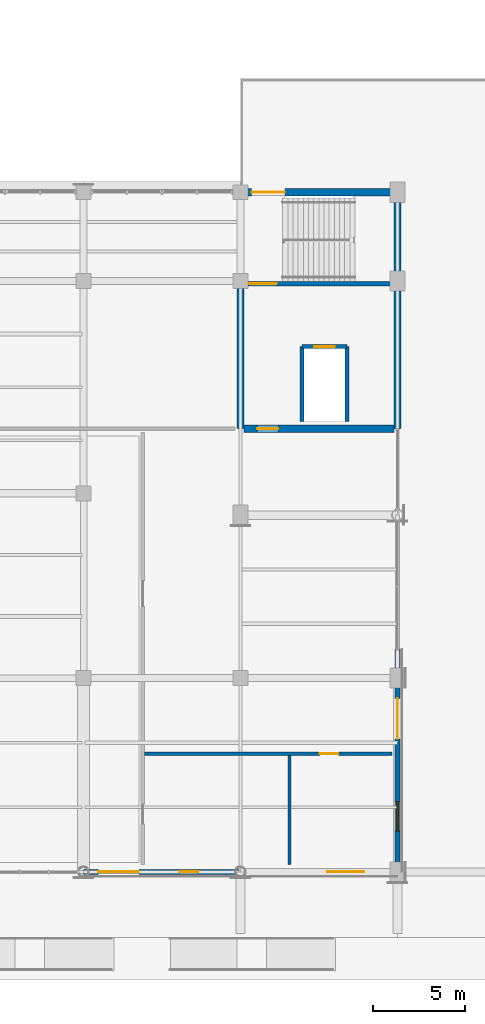
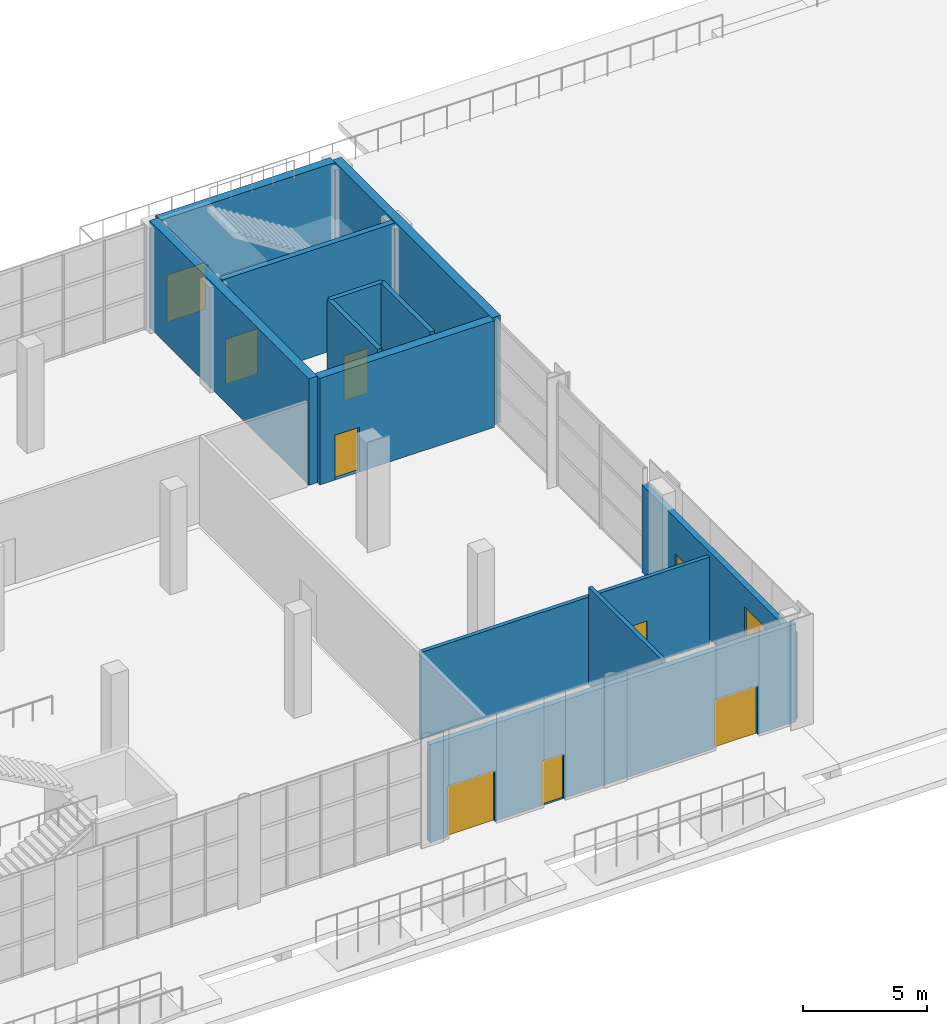
# One storey, part 68 of 90: 12 walls, 9 doors, 1 window, 10 openings.
"""IFC4 building model written with IfcOpenShell, lengths in metres."""

import ifcopenshell
import ifcopenshell.guid

model = None  # the IFC model being written
_history = None  # IfcOwnerHistory: only IFC2X3 demands one
_inside = {}  # id of a spatial element -> (the spatial element, [elements in it])
_under = {}  # id of a project, library or spatial element -> (it, [spatial elements below it])
_declared = {}  # id of a project -> (the project, [libraries it declares])
_typed = {}  # id of a type object -> (the type object, [elements of that type])
_made_of = {}  # id of a material, layer set ... -> (it, [elements and type objects made of it])


def new_model(schema):
    """Start an empty IFC model of exactly this schema.

    Asked for "IFC4X3", IfcOpenShell would pick the latest addendum, in which some entities
    have other attributes; the version numbers below select the first issue.
    IFC2X3 requires an IfcOwnerHistory on every rooted entity: one is made here for all.
    """
    global model, _history
    if schema == "IFC4X3":
        model = ifcopenshell.file(schema_version=(4, 3, 0, 0))
    else:
        model = ifcopenshell.file(schema=schema)
    _inside.clear()
    _under.clear()
    _declared.clear()
    _typed.clear()
    _made_of.clear()
    _history = None
    if model.schema == "IFC2X3":
        org = make("IfcOrganization", Name="unknown")
        user = make(
            "IfcPersonAndOrganization",
            ThePerson=make("IfcPerson", FamilyName="unknown"),
            TheOrganization=org,
        )
        app = make(
            "IfcApplication",
            ApplicationDeveloper=org,
            Version="unknown",
            ApplicationFullName="unknown",
            ApplicationIdentifier="unknown",
        )
        _history = make(
            "IfcOwnerHistory",
            OwningUser=user,
            OwningApplication=app,
            ChangeAction="ADDED",
            CreationDate=0,
        )
    return model


def make(cls, **values):
    """One entity of the class cls with the attributes given. An attribute that is None is left unset."""
    return model.create_entity(
        cls, **{name: value for name, value in values.items() if value is not None}
    )


def rooted(cls, **values):
    """An entity with a GlobalId (a new one), such as an element, a storey or a relation."""
    return make(cls, GlobalId=ifcopenshell.guid.new(), OwnerHistory=_history, **values)


def si_unit(unit_type, name, prefix=None):
    """IfcSIUnit, for example si_unit("LENGTHUNIT", "METRE", prefix="MILLI")."""
    return make("IfcSIUnit", UnitType=unit_type, Prefix=prefix, Name=name)


def assignment(units):
    """IfcUnitAssignment: the units of a project."""
    return None if units is None else make("IfcUnitAssignment", Units=units)


def point(xyz):
    """IfcCartesianPoint."""
    return None if xyz is None else make("IfcCartesianPoint", Coordinates=xyz)


def direction(xyz):
    """IfcDirection."""
    return None if xyz is None else make("IfcDirection", DirectionRatios=xyz)


def frame(location, z_axis=None, x_axis=None):
    """IfcAxis2Placement3D, a coordinate frame: its origin and axes. An axis left out is left unset."""
    return make(
        "IfcAxis2Placement3D",
        Location=point(location),
        Axis=direction(z_axis),
        RefDirection=direction(x_axis),
    )


def frame_2d(location, x_axis=None):
    """IfcAxis2Placement2D, a coordinate frame in the plane: its origin and x axis."""
    return make(
        "IfcAxis2Placement2D", Location=point(location), RefDirection=direction(x_axis)
    )


def origin():
    """The frame at (0, 0, 0) with its axes left unset."""
    return frame((0.0, 0.0, 0.0))


def place(relative_to, where):
    """IfcLocalPlacement: puts the frame where relative to a parent placement (None: the world)."""
    return make(
        "IfcLocalPlacement", PlacementRelTo=relative_to, RelativePlacement=where
    )


def context(
    kind, dimensions, precision=None, world=None, true_north=None, identifier=None
):
    """IfcGeometricRepresentationContext, for example the 3D "Model" context."""
    return make(
        "IfcGeometricRepresentationContext",
        ContextIdentifier=identifier,
        ContextType=kind,
        CoordinateSpaceDimension=dimensions,
        Precision=precision,
        WorldCoordinateSystem=world,
        TrueNorth=true_north,
    )


def subcontext(parent, identifier, kind, view, scale=None):
    """IfcGeometricRepresentationSubContext, for example "Body" below "Model"."""
    return make(
        "IfcGeometricRepresentationSubContext",
        ContextIdentifier=identifier,
        ContextType=kind,
        ParentContext=parent,
        TargetScale=scale,
        TargetView=view,
    )


def project(units=None, contexts=None):
    """IfcProject with its units and contexts."""
    return rooted(
        "IfcProject",
        Name="project",
        RepresentationContexts=contexts,
        UnitsInContext=assignment(units),
    )


def spatial(cls, under=None, at=None, **own):
    """A site, building, storey or space (cls), placed at a placement, below another one or the project."""
    s = rooted(cls, ObjectPlacement=at, **own)
    if under is not None:
        _under.setdefault(under.id(), (under, []))[1].append(s)
    return s


def profile(cls, at=None, kind="AREA", **sizes):
    """A parametric profile (cls). Its sizes go by their IFC names, for example OverallWidth=200.0."""
    return make(cls, ProfileType=kind, Position=at, **sizes)


def rectangle(**sizes):
    """IfcRectangleProfileDef."""
    return profile("IfcRectangleProfileDef", **sizes)


def extrude(swept, where, along, depth):
    """IfcExtrudedAreaSolid: the profile swept, set in the frame where, extruded along a direction by depth."""
    return make(
        "IfcExtrudedAreaSolid",
        SweptArea=swept,
        Position=where,
        ExtrudedDirection=direction(along),
        Depth=depth,
    )


def shape(context_of_items, identifier, shape_type, items):
    """IfcShapeRepresentation: the items that make up one representation, for example the "Body"."""
    return make(
        "IfcShapeRepresentation",
        ContextOfItems=context_of_items,
        RepresentationIdentifier=identifier,
        RepresentationType=shape_type,
        Items=items,
    )


def material(Name=None, Category=None):
    """IfcMaterial."""
    return make("IfcMaterial", Name=Name, Category=Category)


def layer(
    of_material, thickness, ventilated=None, Name=None, Category=None, Priority=None
):
    """IfcMaterialLayer: one layer of a wall or slab, of a material (None: an air gap)."""
    return make(
        "IfcMaterialLayer",
        Material=of_material,
        LayerThickness=thickness,
        IsVentilated=ventilated,
        Name=Name,
        Category=Category,
        Priority=Priority,
    )


def layer_set(layers, Name=None):
    """IfcMaterialLayerSet."""
    return make("IfcMaterialLayerSet", MaterialLayers=layers, LayerSetName=Name)


def made_of(thing, what):
    """Note that an element or type object is made of a material, layer set ...; save() writes the relation."""
    if what is not None:
        _made_of.setdefault(what.id(), (what, []))[1].append(thing)
    return thing


def type_object(cls, material=None, **own):
    """A type object (cls), such as IfcWallType, which elements share."""
    return made_of(rooted(cls, **own), material)


def element(
    cls,
    number,
    at=None,
    inside=None,
    cuts=None,
    type_object=None,
    material=None,
    context=None,
    identifier="Body",
    shape_type=None,
    held_by="IfcProductDefinitionShape",
    body=None,
    shapes=None,
    **own,
):
    """One element of the class cls, such as IfcWall. Its Tag is "e" and its number.

    at: its placement. inside: the storey or other place that contains it. cuts: it is an
    opening in that element (IfcRelVoidsElement). A single representation is given by context,
    identifier, shape_type and body (its items); several are given by shapes. held_by: the class
    of the entity that holds the representations. save() writes the other relations.
    """
    e = rooted(cls, Tag="e%d" % number, ObjectPlacement=at, **own)
    if body is not None:
        shapes = [shape(context, identifier, shape_type, body)]
    if shapes is not None:
        e.Representation = make(held_by, Representations=shapes)
    if inside is not None:
        _inside.setdefault(inside.id(), (inside, []))[1].append(e)
    if cuts is not None:
        rooted(
            "IfcRelVoidsElement", RelatingBuildingElement=cuts, RelatedOpeningElement=e
        )
    if type_object is not None:
        _typed.setdefault(type_object.id(), (type_object, []))[1].append(e)
    return made_of(e, material)


def fill(opening, filler):
    """IfcRelFillsElement: the door or window that sits in an opening."""
    return rooted(
        "IfcRelFillsElement",
        RelatingOpeningElement=opening,
        RelatedBuildingElement=filler,
    )


def aggregate(whole, parts):
    """IfcRelAggregates: a whole, such as a stair, and the parts it consists of."""
    return rooted("IfcRelAggregates", RelatingObject=whole, RelatedObjects=parts)


def save(model, path):
    """Write the relations noted so far, then the file.

    IfcRelAggregates (storeys below a building ...), IfcRelContainedInSpatialStructure (elements
    in a storey), IfcRelDefinesByType, IfcRelAssociatesMaterial and IfcRelDeclares: one each for
    every whole, place, type object, material and project.
    """
    for whole, parts in _under.values():
        aggregate(whole, parts)
    for where, things in _inside.values():
        rooted(
            "IfcRelContainedInSpatialStructure",
            RelatedElements=things,
            RelatingStructure=where,
        )
    for kind, things in _typed.values():
        rooted("IfcRelDefinesByType", RelatedObjects=things, RelatingType=kind)
    for what, things in _made_of.values():
        rooted("IfcRelAssociatesMaterial", RelatedObjects=things, RelatingMaterial=what)
    for by, libraries in _declared.values():
        rooted("IfcRelDeclares", RelatingContext=by, RelatedDefinitions=libraries)
    model.write(path)


model = new_model("IFC4")

# Units and contexts
model_context = context("Model", 3, precision=1e-05, world=origin(), true_north=direction((0.0, 1.0)))
body_context = subcontext(model_context, "Body", "Model", "MODEL_VIEW")
ifc_project = project(units=[si_unit("LENGTHUNIT", "METRE"), si_unit("AREAUNIT", "SQUARE_METRE"), si_unit("VOLUMEUNIT", "CUBIC_METRE"), si_unit("PLANEANGLEUNIT", "RADIAN"), si_unit("MASSUNIT", "GRAM", prefix="KILO")], contexts=[model_context])

# Site, building, storey
site_placement = place(None, origin())
site = spatial("IfcSite", under=ifc_project, at=site_placement, CompositionType="ELEMENT")
building_placement = place(site_placement, origin())
building = spatial("IfcBuilding", under=site, at=building_placement, Name="Solvikara Media Centre", CompositionType="ELEMENT")
storey_placement = place(building_placement, origin())
storey = spatial("IfcBuildingStorey", under=building, at=storey_placement, Name="L00", CompositionType="ELEMENT", Elevation=0.0)

# Walls
ifc_material_1 = material(Name="Concrete fc' 45 MPa (C45/55)", Category="concrete")
ifc_layer_1 = layer(ifc_material_1, 0.39990234375)
ifc_layer_set_1 = layer_set([ifc_layer_1], Name="Concrete fc' 45 MPa (C45/55)")
wall_type_1 = type_object("IfcWallType", Name="WT-02", PredefinedType="SHEAR", material=ifc_layer_set_1)
for number, where, z_axis, x_axis, name in (
    (1, (68.0, 24.0, 0.0), (0.0, 0.0, 1.0), (0.0, 1.0, 0.0), "CW-C3-L00-W"),
    (2, (76.5, 24.0, 0.0), (0.0, 0.0, 1.0), (0.0, 1.0, 0.0), "CW-C3-L00-E"),
):
    element("IfcWall", number, at=place(storey_placement, frame(where, z_axis=z_axis, x_axis=x_axis)), inside=storey, type_object=wall_type_1, Name=name, PredefinedType="SHEAR", context=body_context, shape_type="SweptSolid", body=[
        extrude(rectangle(XDim=12.800048828125, YDim=0.39990234375, at=frame_2d((6.39990234375, 0.0))), origin(), (0.0, 0.0, 1.0), 5.239990234375),
    ])

# Wall, opening, door
wall_1_placement = place(storey_placement, frame((68.199951171875, 36.800048828125, 0.0), z_axis=(0.0, 0.0, 1.0), x_axis=(1.0, 0.0, 0.0)))
wall_1 = element("IfcWall", 3, at=wall_1_placement, inside=storey, type_object=wall_type_1, Name="CW-C3-L00-N", PredefinedType="SHEAR", context=body_context, shape_type="SweptSolid", body=[
    extrude(rectangle(XDim=8.10009765625, YDim=0.39990234375, at=frame_2d((4.050048828125, 0.0))), origin(), (0.0, 0.0, 1.0), 5.239990234375),
])
opening_1_placement = place(wall_1_placement, frame((0.39990234375, 0.0, 0.0)))
opening_1 = element("IfcOpeningElement", 4, at=opening_1_placement, cuts=wall_1, Name="Opening EX-C3", PredefinedType="OPENING", context=body_context, shape_type="SweptSolid", body=[
    extrude(rectangle(XDim=1.800048828125, YDim=2.300048828125, at=frame_2d((0.89990234375, 1.14990234375))), frame((0.0, 0.2119140625, 0.0), z_axis=(0.0, -1.0, 0.0), x_axis=(1.0, 0.0, 0.0)), (0.0, 0.0, 1.0), 0.423828125),
])
ifc_material_2 = material(Name="Insulated fire-rated steel door leaf", Category="steel")
door_type_1 = type_object("IfcDoorType", Name="DT-03", OperationType="DOUBLE_DOOR_SINGLE_SWING", PredefinedType="DOOR", material=ifc_material_2)
door_1_placement = place(opening_1_placement, origin())
door_1 = element("IfcDoor", 5, at=door_1_placement, inside=storey, type_object=door_type_1, Name="EX-C3", OperationType="DOUBLE_DOOR_SINGLE_SWING", OverallHeight=2.300048828125, OverallWidth=1.800048828125, PredefinedType="DOOR", context=body_context, shape_type="SweptSolid", body=[
    extrude(rectangle(XDim=1.800048828125, YDim=2.300048828125, at=frame_2d((0.89990234375, 1.14990234375))), frame((0.0, 0.02490234375, 0.0), z_axis=(0.0, -1.0, 0.0), x_axis=(1.0, 0.0, 0.0)), (0.0, 0.0, 1.0), 0.050048828125),
])
fill(opening_1, door_1)

wall_2_placement = place(storey_placement, frame((68.199951171875, 24.0, 0.0), z_axis=(0.0, 0.0, 1.0), x_axis=(1.0, 0.0, 0.0)))
wall_2 = element("IfcWall", 6, at=wall_2_placement, inside=storey, type_object=wall_type_1, Name="CW-C3-L00-S", PredefinedType="SHEAR", context=body_context, shape_type="SweptSolid", body=[
    extrude(rectangle(XDim=8.10009765625, YDim=0.39990234375, at=frame_2d((4.050048828125, 0.0))), origin(), (0.0, 0.0, 1.0), 5.239990234375),
])
opening_2_placement = place(wall_2_placement, frame((0.699951171875, 0.0, 0.0)))
opening_2 = element("IfcOpeningElement", 7, at=opening_2_placement, cuts=wall_2, Name="Opening D-C3-L00-LOB", PredefinedType="OPENING", context=body_context, shape_type="SweptSolid", body=[
    extrude(rectangle(XDim=1.14990234375, YDim=2.199951171875, at=frame_2d((0.574951171875, 1.10009765625))), frame((0.0, 0.2119140625, 0.0), z_axis=(0.0, -1.0, 0.0), x_axis=(1.0, 0.0, 0.0)), (0.0, 0.0, 1.0), 0.423828125),
])
door_type_2 = type_object("IfcDoorType", Name="DT-09", OperationType="NOTDEFINED", PredefinedType="DOOR", material=ifc_material_2)
door_2_placement = place(opening_2_placement, frame((1.14990234375, 0.0, 0.0), z_axis=(0.0, 0.0, 1.0), x_axis=(-1.0, 0.0, 0.0)))
door_2 = element("IfcDoor", 8, at=door_2_placement, inside=storey, type_object=door_type_2, Name="D-C3-L00-LOB", OperationType="SINGLE_SWING_RIGHT", OverallHeight=2.199951171875, OverallWidth=1.14990234375, PredefinedType="DOOR", context=body_context, shape_type="SweptSolid", body=[
    extrude(rectangle(XDim=1.14990234375, YDim=2.199951171875, at=frame_2d((0.574951171875, 1.10009765625))), frame((0.0, 0.02490234375, 0.0), z_axis=(0.0, -1.0, 0.0), x_axis=(1.0, 0.0, 0.0)), (0.0, 0.0, 1.0), 0.050048828125),
])
fill(opening_2, door_2)

ifc_layer_2 = layer(ifc_material_1, 0.25)
ifc_layer_set_2 = layer_set([ifc_layer_2], Name="Concrete fc' 45 MPa (C45/55)")
wall_type_2 = type_object("IfcWallType", Name="WT-07", PredefinedType="STANDARD", material=ifc_layer_set_2)
wall_3_placement = place(storey_placement, frame((68.25, 31.85009765625, 0.0), z_axis=(0.0, 0.0, 1.0), x_axis=(1.0, 0.0, 0.0)))
wall_3 = element("IfcWall", 9, at=wall_3_placement, inside=storey, type_object=wall_type_2, Name="CW-C3-L00-SD", PredefinedType="STANDARD", context=body_context, shape_type="SweptSolid", body=[
    extrude(rectangle(XDim=8.0, YDim=0.25, at=frame_2d((4.0, 0.0))), origin(), (0.0, 0.0, 1.0), 5.239990234375),
])
opening_3_placement = place(wall_3_placement, frame((0.199951171875, 0.0, 0.0)))
opening_3 = element("IfcOpeningElement", 10, at=opening_3_placement, cuts=wall_3, Name="Opening D-C3-L00-ST", PredefinedType="OPENING", context=body_context, shape_type="SweptSolid", body=[
    extrude(rectangle(XDim=1.5, YDim=2.199951171875, at=frame_2d((0.75, 1.10009765625))), frame((0.0, 0.136962890625, 0.0), z_axis=(0.0, -1.0, 0.0), x_axis=(1.0, 0.0, 0.0)), (0.0, 0.0, 1.0), 0.27392578125),
])
door_type_3 = type_object("IfcDoorType", Name="DT-08", OperationType="DOUBLE_DOOR_SINGLE_SWING", PredefinedType="DOOR", material=ifc_material_2)
door_3_placement = place(opening_3_placement, frame((1.5, 0.0, 0.0), z_axis=(0.0, 0.0, 1.0), x_axis=(-1.0, 0.0, 0.0)))
door_3 = element("IfcDoor", 11, at=door_3_placement, inside=storey, type_object=door_type_3, Name="D-C3-L00-ST", OperationType="DOUBLE_DOOR_SINGLE_SWING", OverallHeight=2.199951171875, OverallWidth=1.5, PredefinedType="DOOR", context=body_context, shape_type="SweptSolid", body=[
    extrude(rectangle(XDim=1.5, YDim=2.199951171875, at=frame_2d((0.75, 1.10009765625))), frame((0.0, 0.02490234375, 0.0), z_axis=(0.0, -1.0, 0.0), x_axis=(1.0, 0.0, 0.0)), (0.0, 0.0, 1.0), 0.050048828125),
])
fill(opening_3, door_3)

# Wall, openings, doors
ifc_material_3 = material(Name="Precast concrete fc' 40 MPa (C40/50)", Category="concrete")
ifc_layer_3 = layer(ifc_material_3, 0.260009765625)
ifc_layer_set_3 = layer_set([ifc_layer_3], Name="Precast concrete fc' 40 MPa (C40/50)")
wall_type_3 = type_object("IfcWallType", Name="WT-12", PredefinedType="STANDARD", material=ifc_layer_set_3)
wall_4_placement = place(storey_placement, frame((59.5, 0.0, 0.0), z_axis=(0.0, 0.0, 1.0), x_axis=(1.0, 0.0, 0.0)))
wall_4 = element("IfcWall", 12, at=wall_4_placement, inside=storey, type_object=wall_type_3, Name="EW-L00-V6-SE", PredefinedType="STANDARD", context=body_context, shape_type="SweptSolid", body=[
    extrude(rectangle(XDim=17.0, YDim=0.260009765625, at=frame_2d((8.5, 0.0))), origin(), (0.0, 0.0, 1.0), 4.80810546875),
])
opening_4_placement = place(wall_4_placement, frame((0.800048828125, 0.0, 0.0)))
opening_4 = element("IfcOpeningElement", 13, at=opening_4_placement, cuts=wall_4, Name="Opening EX-09", PredefinedType="OPENING", context=body_context, shape_type="SweptSolid", body=[
    extrude(rectangle(XDim=2.199951171875, YDim=2.5, at=frame_2d((1.10009765625, 1.25))), frame((0.0, 0.14208984375, 0.0), z_axis=(0.0, -1.0, 0.0), x_axis=(1.0, 0.0, 0.0)), (0.0, 0.0, 1.0), 0.283935546875),
])
opening_5_placement = place(wall_4_placement, frame((5.199951171875, 0.0, 0.0)))
opening_5 = element("IfcOpeningElement", 14, at=opening_5_placement, cuts=wall_4, Name="Opening D-FCR-EXT", PredefinedType="OPENING", context=body_context, shape_type="SweptSolid", body=[
    extrude(rectangle(XDim=1.0, YDim=2.199951171875, at=frame_2d((0.5, 1.10009765625))), frame((0.0, 0.14208984375, 0.0), z_axis=(0.0, -1.0, 0.0), x_axis=(1.0, 0.0, 0.0)), (0.0, 0.0, 1.0), 0.283935546875),
])
opening_6_placement = place(wall_4_placement, frame((13.199951171875, 0.0, 0.0)))
opening_6 = element("IfcOpeningElement", 15, at=opening_6_placement, cuts=wall_4, Name="Opening EX-10", PredefinedType="OPENING", context=body_context, shape_type="SweptSolid", body=[
    extrude(rectangle(XDim=2.0, YDim=2.39990234375, at=frame_2d((1.0, 1.199951171875))), frame((0.0, 0.14208984375, 0.0), z_axis=(0.0, -1.0, 0.0), x_axis=(1.0, 0.0, 0.0)), (0.0, 0.0, 1.0), 0.283935546875),
])
ifc_material_4 = material(Name="Anodised aluminium EN AW-6063", Category="aluminium")
door_type_4 = type_object("IfcDoorType", Name="DT-01", OperationType="DOUBLE_DOOR_SINGLE_SWING", PredefinedType="DOOR", material=ifc_material_4)
door_4_placement = place(opening_6_placement, frame((2.0, 0.0, 0.0), z_axis=(0.0, 0.0, 1.0), x_axis=(-1.0, 0.0, 0.0)))
door_4 = element("IfcDoor", 16, at=door_4_placement, inside=storey, type_object=door_type_4, Name="EX-10", OperationType="DOUBLE_DOOR_SINGLE_SWING", OverallHeight=2.39990234375, OverallWidth=2.0, PredefinedType="DOOR", context=body_context, shape_type="SweptSolid", body=[
    extrude(rectangle(XDim=2.0, YDim=2.39990234375, at=frame_2d((1.0, 1.199951171875))), frame((0.0, 0.02490234375, 0.0), z_axis=(0.0, -1.0, 0.0), x_axis=(1.0, 0.0, 0.0)), (0.0, 0.0, 1.0), 0.050048828125),
])
fill(opening_6, door_4)
door_type_5 = type_object("IfcDoorType", Name="DT-02", OperationType="DOUBLE_DOOR_SINGLE_SWING", PredefinedType="DOOR", material=ifc_material_4)
door_5_placement = place(opening_4_placement, frame((2.199951171875, 0.0, 0.0), z_axis=(0.0, 0.0, 1.0), x_axis=(-1.0, 0.0, 0.0)))
door_5 = element("IfcDoor", 17, at=door_5_placement, inside=storey, type_object=door_type_5, Name="EX-09", OperationType="DOUBLE_DOOR_SINGLE_SWING", OverallHeight=2.5, OverallWidth=2.199951171875, PredefinedType="DOOR", context=body_context, shape_type="SweptSolid", body=[
    extrude(rectangle(XDim=2.199951171875, YDim=2.5, at=frame_2d((1.10009765625, 1.25))), frame((0.0, 0.02490234375, 0.0), z_axis=(0.0, -1.0, 0.0), x_axis=(1.0, 0.0, 0.0)), (0.0, 0.0, 1.0), 0.050048828125),
])
fill(opening_4, door_5)
door_type_6 = type_object("IfcDoorType", Name="DT-06", OperationType="NOTDEFINED", PredefinedType="DOOR", material=ifc_material_2)
door_6_placement = place(opening_5_placement, frame((1.0, 0.0, 0.0), z_axis=(0.0, 0.0, 1.0), x_axis=(-1.0, 0.0, 0.0)))
door_6 = element("IfcDoor", 18, at=door_6_placement, inside=storey, type_object=door_type_6, Name="D-FCR-EXT", OperationType="SINGLE_SWING_LEFT", OverallHeight=2.199951171875, OverallWidth=1.0, PredefinedType="DOOR", context=body_context, shape_type="SweptSolid", body=[
    extrude(rectangle(XDim=1.0, YDim=2.199951171875, at=frame_2d((0.5, 1.10009765625))), frame((0.0, 0.02490234375, 0.0), z_axis=(0.0, -1.0, 0.0), x_axis=(1.0, 0.0, 0.0)), (0.0, 0.0, 1.0), 0.050048828125),
])
fill(opening_5, door_6)

# Wall, openings, door, window
wall_5_placement = place(storey_placement, frame((76.5, 0.0, 0.0), z_axis=(0.0, 0.0, 1.0), x_axis=(0.0, 1.0, 0.0)))
wall_5 = element("IfcWall", 19, at=wall_5_placement, inside=storey, type_object=wall_type_3, Name="EW-L00-V6-E", PredefinedType="STANDARD", context=body_context, shape_type="SweptSolid", body=[
    extrude(rectangle(XDim=12.06005859375, YDim=0.260009765625, at=frame_2d((6.030029296875, 0.0))), origin(), (0.0, 0.0, 1.0), 4.280029296875),
])
opening_7_placement = place(wall_5_placement, frame((7.199951171875, 0.0, 0.0)))
opening_7 = element("IfcOpeningElement", 20, at=opening_7_placement, cuts=wall_5, Name="Opening EX-11", PredefinedType="OPENING", context=body_context, shape_type="SweptSolid", body=[
    extrude(rectangle(XDim=2.199951171875, YDim=2.5, at=frame_2d((1.10009765625, 1.25))), frame((0.0, 0.14208984375, 0.0), z_axis=(0.0, -1.0, 0.0), x_axis=(1.0, 0.0, 0.0)), (0.0, 0.0, 1.0), 0.283935546875),
])
opening_8_placement = place(wall_5_placement, frame((2.215087890625, 0.0, 1.10009765625)))
opening_8 = element("IfcOpeningElement", 21, at=opening_8_placement, cuts=wall_5, Name="Opening W-L00-V6E-W01", PredefinedType="OPENING", context=body_context, shape_type="SweptSolid", body=[
    extrude(rectangle(XDim=1.60009765625, YDim=2.199951171875, at=frame_2d((0.800048828125, 1.10009765625))), frame((0.0, 0.14208984375, 0.0), z_axis=(0.0, -1.0, 0.0), x_axis=(1.0, 0.0, 0.0)), (0.0, 0.0, 1.0), 0.283935546875),
])
door_7_placement = place(opening_7_placement, frame((2.199951171875, 0.0, 0.0), z_axis=(0.0, 0.0, 1.0), x_axis=(-1.0, 0.0, 0.0)))
door_7 = element("IfcDoor", 22, at=door_7_placement, inside=storey, type_object=door_type_5, Name="EX-11", OperationType="DOUBLE_DOOR_SINGLE_SWING", OverallHeight=2.5, OverallWidth=2.199951171875, PredefinedType="DOOR", context=body_context, shape_type="SweptSolid", body=[
    extrude(rectangle(XDim=2.199951171875, YDim=2.5, at=frame_2d((1.10009765625, 1.25))), frame((0.0, 0.02490234375, 0.0), z_axis=(0.0, -1.0, 0.0), x_axis=(1.0, 0.0, 0.0)), (0.0, 0.0, 1.0), 0.050048828125),
])
fill(opening_7, door_7)
ifc_material_5 = material(Name="Double-glazed low-E architectural glass", Category="glass")
window_type = type_object("IfcWindowType", Name="WN-07", PartitioningType="SINGLE_PANEL", PredefinedType="WINDOW", material=ifc_material_5)
window_placement = place(opening_8_placement, origin())
window = element("IfcWindow", 23, at=window_placement, inside=storey, type_object=window_type, Name="W-L00-V6E-W01", OverallHeight=2.199951171875, OverallWidth=1.60009765625, PartitioningType="SINGLE_PANEL", PredefinedType="WINDOW", context=body_context, shape_type="SweptSolid", body=[
    extrude(rectangle(XDim=1.60009765625, YDim=2.199951171875, at=frame_2d((0.800048828125, 1.10009765625))), frame((0.0, 0.030029296875, 0.0), z_axis=(0.0, -1.0, 0.0), x_axis=(1.0, 0.0, 0.0)), (0.0, 0.0, 1.0), 0.06005859375),
])
fill(opening_8, window)

# Walls
ifc_material_6 = material(Name="Fire-rated gypsum and mineral-wool shaft wall assembly")
ifc_layer_4 = layer(ifc_material_6, 0.2099609375)
ifc_layer_set_4 = layer_set([ifc_layer_4], Name="Fire-rated gypsum and mineral-wool shaft wall assembly")
wall_type_4 = type_object("IfcWallType", Name="WT-17", PredefinedType="PARTITIONING", material=ifc_layer_set_4)
for number, where, z_axis, x_axis, name in (
    (24, (71.330078125, 24.39990234375, 0.0), (0.0, 0.0, 1.0), (0.0, 1.0, 0.0), "LW-LF-FF2-L00-W"),
    (25, (73.77001953125, 24.39990234375, 0.0), (0.0, 0.0, 1.0), (0.0, 1.0, 0.0), "LW-LF-FF2-L00-E"),
):
    element("IfcWall", number, at=place(storey_placement, frame(where, z_axis=z_axis, x_axis=x_axis)), inside=storey, type_object=wall_type_4, Name=name, PredefinedType="PARTITIONING", context=body_context, shape_type="SweptSolid", body=[
        extrude(rectangle(XDim=4.050048828125, YDim=0.2099609375, at=frame_2d((2.02490234375, 0.0))), origin(), (0.0, 0.0, 1.0), 5.239990234375),
    ])

# Wall, opening, door
wall_6_placement = place(storey_placement, frame((71.330078125, 28.449951171875, 0.0), z_axis=(0.0, 0.0, 1.0), x_axis=(1.0, 0.0, 0.0)))
wall_6 = element("IfcWall", 26, at=wall_6_placement, inside=storey, type_object=wall_type_4, Name="LW-LF-FF2-L00-N", PredefinedType="PARTITIONING", context=body_context, shape_type="SweptSolid", body=[
    extrude(rectangle(XDim=2.43994140625, YDim=0.2099609375, at=frame_2d((1.219970703125, 0.0))), origin(), (0.0, 0.0, 1.0), 5.239990234375),
])
opening_9_placement = place(wall_6_placement, frame((0.669921875, 0.0, 0.0)))
opening_9 = element("IfcOpeningElement", 27, at=opening_9_placement, cuts=wall_6, Name="Opening LD-LF-FF2-L00", PredefinedType="OPENING", context=body_context, shape_type="SweptSolid", body=[
    extrude(rectangle(XDim=1.10009765625, YDim=2.199951171875, at=frame_2d((0.550048828125, 1.10009765625))), frame((0.0, 0.116943359375, 0.0), z_axis=(0.0, -1.0, 0.0), x_axis=(1.0, 0.0, 0.0)), (0.0, 0.0, 1.0), 0.23388671875),
])
door_type_7 = type_object("IfcDoorType", Name="LD-01", OperationType="DOUBLE_DOOR_SLIDING", PredefinedType="DOOR", material=ifc_material_2)
door_8_placement = place(opening_9_placement, origin())
door_8 = element("IfcDoor", 28, at=door_8_placement, inside=storey, type_object=door_type_7, Name="LD-LF-FF2-L00", OperationType="DOUBLE_DOOR_SLIDING", OverallHeight=2.199951171875, OverallWidth=1.10009765625, PredefinedType="DOOR", context=body_context, shape_type="SweptSolid", body=[
    extrude(rectangle(XDim=1.10009765625, YDim=2.199951171875, at=frame_2d((0.550048828125, 1.10009765625))), frame((0.0, 0.02490234375, 0.0), z_axis=(0.0, -1.0, 0.0), x_axis=(1.0, 0.0, 0.0)), (0.0, 0.0, 1.0), 0.050048828125),
])
fill(opening_9, door_8)

ifc_layer_5 = layer(ifc_material_6, 0.179931640625)
ifc_layer_set_5 = layer_set([ifc_layer_5], Name="Fire-rated gypsum and mineral-wool shaft wall assembly")
wall_type_5 = type_object("IfcWallType", Name="WT-18", PredefinedType="PARTITIONING", material=ifc_layer_set_5)
wall_7_placement = place(storey_placement, frame((62.800048828125, 6.39990234375, 0.0), z_axis=(0.0, 0.0, 1.0), x_axis=(1.0, 0.0, 0.0)))
wall_7 = element("IfcWall", 29, at=wall_7_placement, inside=storey, type_object=wall_type_5, Name="PW-L00-027", PredefinedType="PARTITIONING", context=body_context, shape_type="SweptSolid", body=[
    extrude(rectangle(XDim=13.39990234375, YDim=0.179931640625, at=frame_2d((6.699951171875, 0.0))), origin(), (0.0, 0.0, 1.0), 4.280029296875),
])
opening_10_placement = place(wall_7_placement, frame((9.5, 0.0, 0.0)))
opening_10 = element("IfcOpeningElement", 30, at=opening_10_placement, cuts=wall_7, Name="Opening D-L00-027-1", PredefinedType="OPENING", context=body_context, shape_type="SweptSolid", body=[
    extrude(rectangle(XDim=1.0, YDim=2.14990234375, at=frame_2d((0.5, 1.074951171875))), frame((0.0, 0.10205078125, 0.0), z_axis=(0.0, -1.0, 0.0), x_axis=(1.0, 0.0, 0.0)), (0.0, 0.0, 1.0), 0.203857421875),
])
ifc_material_7 = material(Name="Solid core acoustic hardwood timber", Category="wood")
door_type_8 = type_object("IfcDoorType", Name="DT-16", OperationType="NOTDEFINED", PredefinedType="DOOR", material=ifc_material_7)
door_9_placement = place(opening_10_placement, origin())
door_9 = element("IfcDoor", 31, at=door_9_placement, inside=storey, type_object=door_type_8, Name="D-L00-027-1", OperationType="SINGLE_SWING_RIGHT", OverallHeight=2.14990234375, OverallWidth=1.0, PredefinedType="DOOR", context=body_context, shape_type="SweptSolid", body=[
    extrude(rectangle(XDim=1.0, YDim=2.14990234375, at=frame_2d((0.5, 1.074951171875))), frame((0.0, 0.02490234375, 0.0), z_axis=(0.0, -1.0, 0.0), x_axis=(1.0, 0.0, 0.0)), (0.0, 0.0, 1.0), 0.050048828125),
])
fill(opening_10, door_9)

# Wall
wall_8_placement = place(storey_placement, frame((70.64990234375, 0.39990234375, 0.0), z_axis=(0.0, 0.0, 1.0), x_axis=(0.0, 1.0, 0.0)))
element("IfcWall", 32, at=wall_8_placement, inside=storey, type_object=wall_type_5, Name="PW-L00-028", PredefinedType="PARTITIONING", context=body_context, shape_type="SweptSolid", body=[
    extrude(rectangle(XDim=5.900146484375, YDim=0.179931640625, at=frame_2d((2.9501953125, 0.0))), origin(), (0.0, 0.0, 1.0), 4.778076171875),
])

save(model, "model.ifc")
